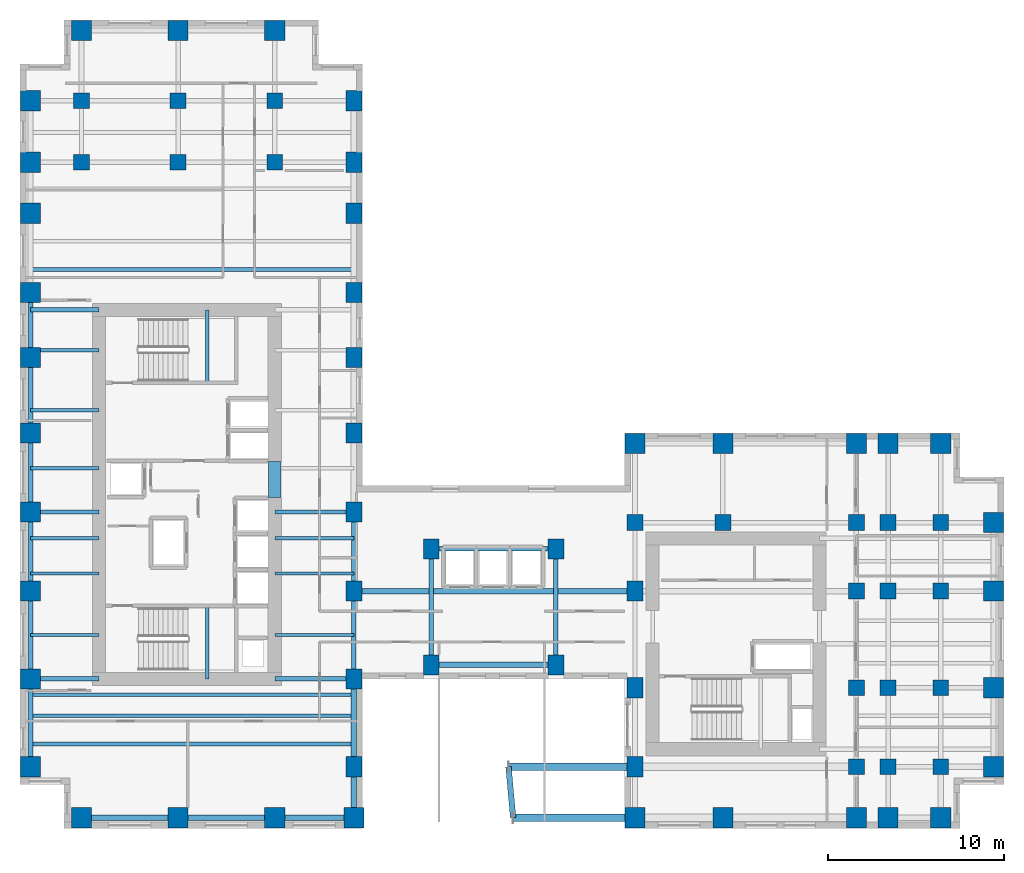
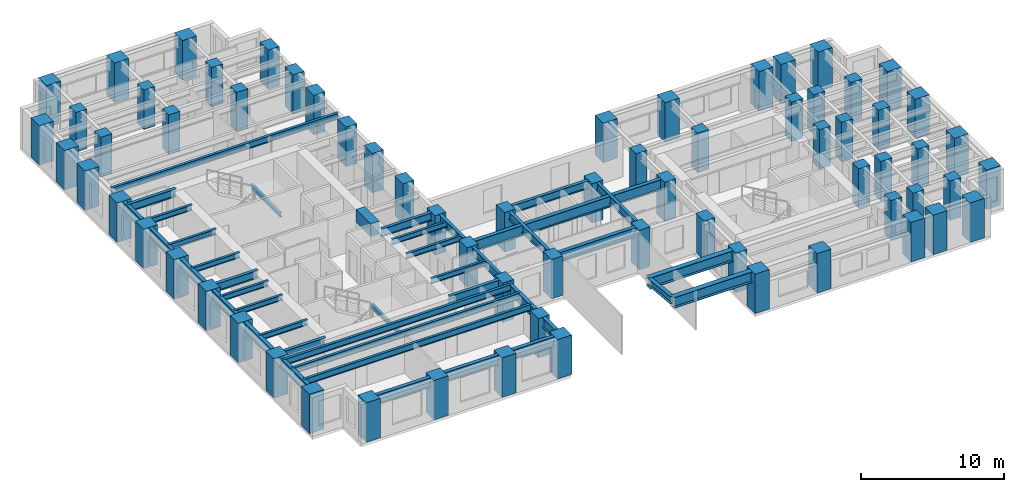
# One storey, part 1 of 14: 68 columns, 42 beams.
"""IFC4 building model written with IfcOpenShell, lengths in metres."""

from ifc_helpers import new_model, si_unit, direction, frame, origin, origin_2d, place, context, subcontext, project, spatial, rectangle, i_section, extrude, source, transform, mapped, material, material_profile, profile_set, type_object, element, save


model = new_model("IFC4")

# Units and contexts
model_context = context("Model", 3, precision=1e-05, world=origin(), true_north=direction((0.0, 1.0)))
body_context = subcontext(model_context, "Body", "Model", "MODEL_VIEW")
ifc_project = project(units=[si_unit("LENGTHUNIT", "METRE"), si_unit("AREAUNIT", "SQUARE_METRE"), si_unit("VOLUMEUNIT", "CUBIC_METRE"), si_unit("PLANEANGLEUNIT", "RADIAN"), si_unit("MASSUNIT", "GRAM", prefix="KILO")], contexts=[model_context])

# Site, building, storey
site_placement = place(None, origin())
site = spatial("IfcSite", under=ifc_project, at=site_placement, CompositionType="ELEMENT")
building_placement = place(site_placement, origin())
building = spatial("IfcBuilding", under=site, at=building_placement, Name="Kharzan Plaza Tower", CompositionType="ELEMENT")
storey_placement = place(building_placement, frame((0.0, 0.0, 88.199951171875)))
storey = spatial("IfcBuildingStorey", under=building, at=storey_placement, Name="L23", CompositionType="ELEMENT", Elevation=88.199951171875)

# Columns
ifc_material_1 = material(Name="Concrete C50/60", Category="concrete")
ifc_material_profile_1 = material_profile(ifc_material_1, rectangle(XDim=0.89990234375, YDim=0.89990234375, at=origin_2d()), Name="RC-IC900x900")
ifc_profile_set_1 = profile_set([ifc_material_profile_1], Name="Concrete C50/60")
column_type_1 = type_object("IfcColumnType", Name="COL-IC900", PredefinedType="COLUMN", material=ifc_profile_set_1)
shared_shape_1 = source(origin(), body_context, "Body", "SweptSolid", [
    extrude(rectangle(XDim=0.89990234375, YDim=0.89990234375, at=origin_2d()), origin(), (0.0, 0.0, 1.0), 3.380126953125),
])
for number, where, z_axis, x_axis, name in (
    (1, (47.60009765625, 13.5, 0.0), (0.0, 0.0, 1.0), (1.0, 0.0, 0.0), "L23 Structural Column TCBI-135"),
    (2, (47.60009765625, 3.5, 0.0), (0.0, 0.0, 1.0), (1.0, 0.0, 0.0), "L23 Structural Column TCBI-35"),
    (3, (47.60009765625, 8.0, 0.0), (0.0, 0.0, 1.0), (1.0, 0.0, 0.0), "L23 Structural Column TCBI-80"),
    (4, (35.0, 17.39990234375, 0.0), (0.0, 0.0, 1.0), (1.0, 0.0, 0.0), "L23 Structural Column TCBN-350-174"),
    (5, (40.0, 17.39990234375, 0.0), (0.0, 0.0, 1.0), (1.0, 0.0, 0.0), "L23 Structural Column TCBN-400-174"),
    (6, (47.60009765625, 17.39990234375, 0.0), (0.0, 0.0, 1.0), (1.0, 0.0, 0.0), "L23 Structural Column TCBN-476-174"),
    (7, (49.39990234375, 13.5, 0.0), (0.0, 0.0, 1.0), (1.0, 0.0, 0.0), "L23 Structural Column TCE-494-135"),
    (8, (49.39990234375, 17.39990234375, 0.0), (0.0, 0.0, 1.0), (1.0, 0.0, 0.0), "L23 Structural Column TCE-494-174"),
    (9, (49.39990234375, 3.5, 0.0), (0.0, 0.0, 1.0), (1.0, 0.0, 0.0), "L23 Structural Column TCE-494-35"),
    (10, (49.39990234375, 8.0, 0.0), (0.0, 0.0, 1.0), (1.0, 0.0, 0.0), "L23 Structural Column TCE-494-80"),
    (11, (52.39990234375, 13.5, 0.0), (0.0, 0.0, 1.0), (1.0, 0.0, 0.0), "L23 Structural Column TCE-524-135"),
    (12, (52.39990234375, 17.39990234375, 0.0), (0.0, 0.0, 1.0), (1.0, 0.0, 0.0), "L23 Structural Column TCE-524-174"),
    (13, (52.39990234375, 3.5, 0.0), (0.0, 0.0, 1.0), (1.0, 0.0, 0.0), "L23 Structural Column TCE-524-35"),
    (14, (52.39990234375, 8.0, 0.0), (0.0, 0.0, 1.0), (1.0, 0.0, 0.0), "L23 Structural Column TCE-524-80"),
    (15, (14.5, 37.89990234375, 0.0), (0.0, 0.0, 1.0), (1.0, 0.0, 0.0), "L23 Structural Column TCN-145-379"),
    (16, (14.5, 41.39990234375, 0.0), (0.0, 0.0, 1.0), (1.0, 0.0, 0.0), "L23 Structural Column TCN-145-414"),
    (17, (3.5, 37.89990234375, 0.0), (0.0, 0.0, 1.0), (1.0, 0.0, 0.0), "L23 Structural Column TCN-35-379"),
    (18, (3.5, 41.39990234375, 0.0), (0.0, 0.0, 1.0), (1.0, 0.0, 0.0), "L23 Structural Column TCN-35-414"),
    (19, (9.0, 37.89990234375, 0.0), (0.0, 0.0, 1.0), (1.0, 0.0, 0.0), "L23 Structural Column TCN-90-379"),
    (20, (9.0, 41.39990234375, 0.0), (0.0, 0.0, 1.0), (1.0, 0.0, 0.0), "L23 Structural Column TCN-90-414"),
):
    element("IfcColumn", number, at=place(storey_placement, frame(where, z_axis=z_axis, x_axis=x_axis)), inside=storey, type_object=column_type_1, Name=name, PredefinedType="COLUMN", context=body_context, shape_type="MappedRepresentation", body=[
        mapped(shared_shape_1, transform((0.0, 0.0, 0.0), x_axis=(1.0, 0.0, 0.0), y_axis=(0.0, 1.0, 0.0), z_axis=(0.0, 0.0, 1.0))),
    ])
ifc_material_2 = material(Name="Concrete C60/75", Category="concrete")
ifc_material_profile_2 = material_profile(ifc_material_2, rectangle(XDim=0.89990234375, YDim=1.14990234375, at=origin_2d()), Name="RC-SC1150x900")
ifc_profile_set_2 = profile_set([ifc_material_profile_2], Name="Concrete C60/75")
column_type_2 = type_object("IfcColumnType", Name="COL-SC1150", PredefinedType="COLUMN", material=ifc_profile_set_2)
shared_shape_2 = source(origin(), body_context, "Body", "SweptSolid", [
    extrude(rectangle(XDim=0.89990234375, YDim=1.14990234375, at=origin_2d()), origin(), (0.0, 0.0, 1.0), 3.380126953125),
])
for number, where, z_axis, x_axis, name in (
    (21, (19.0, 13.5, 0.0), (0.0, 0.0, 1.0), (1.0, 0.0, 0.0), "L23 Structural Column TCA-135"),
    (22, (19.0, 18.0, 0.0), (0.0, 0.0, 1.0), (1.0, 0.0, 0.0), "L23 Structural Column TCA-180"),
    (23, (19.0, 22.5, 0.0), (0.0, 0.0, 1.0), (1.0, 0.0, 0.0), "L23 Structural Column TCA-225"),
    (24, (19.0, 26.800048828125, 0.0), (0.0, 0.0, 1.0), (1.0, 0.0, 0.0), "L23 Structural Column TCA-268"),
    (25, (19.0, 30.5, 0.0), (0.0, 0.0, 1.0), (1.0, 0.0, 0.0), "L23 Structural Column TCA-305"),
    (26, (19.0, 3.5, 0.0), (0.0, 0.0, 1.0), (1.0, 0.0, 0.0), "L23 Structural Column TCA-35"),
    (27, (19.0, 35.0, 0.0), (0.0, 0.0, 1.0), (1.0, 0.0, 0.0), "L23 Structural Column TCA-350"),
    (28, (19.0, 37.89990234375, 0.0), (0.0, 0.0, 1.0), (1.0, 0.0, 0.0), "L23 Structural Column TCA-379"),
    (29, (19.0, 41.39990234375, 0.0), (0.0, 0.0, 1.0), (1.0, 0.0, 0.0), "L23 Structural Column TCA-414"),
    (30, (19.0, 8.5, 0.0), (0.0, 0.0, 1.0), (1.0, 0.0, 0.0), "L23 Structural Column TCA-85"),
    (31, (35.0, 13.5, 0.0), (0.0, 0.0, 1.0), (1.0, 0.0, 0.0), "L23 Structural Column TCBS-135"),
    (32, (35.0, 3.5, 0.0), (0.0, 0.0, 1.0), (1.0, 0.0, 0.0), "L23 Structural Column TCBS-35"),
    (33, (35.0, 8.0, 0.0), (0.0, 0.0, 1.0), (1.0, 0.0, 0.0), "L23 Structural Column TCBS-80"),
    (34, (23.39990234375, 15.89990234375, 0.0), (0.0, 0.0, 1.0), (1.0, 0.0, 0.0), "L23 Structural Column TCSP-234-159"),
    (35, (23.39990234375, 9.300048828125, 0.0), (0.0, 0.0, 1.0), (1.0, 0.0, 0.0), "L23 Structural Column TCSP-234-93"),
    (36, (30.5, 15.89990234375, 0.0), (0.0, 0.0, 1.0), (1.0, 0.0, 0.0), "L23 Structural Column TCSP-305-159"),
    (37, (30.5, 9.300048828125, 0.0), (0.0, 0.0, 1.0), (1.0, 0.0, 0.0), "L23 Structural Column TCSP-305-93"),
):
    element("IfcColumn", number, at=place(storey_placement, frame(where, z_axis=z_axis, x_axis=x_axis)), inside=storey, type_object=column_type_2, Name=name, PredefinedType="COLUMN", context=body_context, shape_type="MappedRepresentation", body=[
        mapped(shared_shape_2, transform((0.0, 0.0, 0.0), x_axis=(1.0, 0.0, 0.0), y_axis=(0.0, 1.0, 0.0), z_axis=(0.0, 0.0, 1.0))),
    ])
ifc_material_profile_3 = material_profile(ifc_material_2, rectangle(XDim=1.14990234375, YDim=1.14990234375, at=origin_2d()), Name="RC-TC1150x1150")
ifc_profile_set_3 = profile_set([ifc_material_profile_3], Name="Concrete C60/75")
column_type_3 = type_object("IfcColumnType", Name="COL-TC1150", PredefinedType="COLUMN", material=ifc_profile_set_3)
shared_shape_3 = source(origin(), body_context, "Body", "SweptSolid", [
    extrude(rectangle(XDim=1.14990234375, YDim=1.14990234375, at=origin_2d()), origin(), (0.0, 0.0, 1.0), 3.380126953125),
])
for number, where, z_axis, x_axis, name in (
    (38, (35.0, 21.89990234375, 0.0), (0.0, 0.0, 1.0), (1.0, 0.0, 0.0), "L23 Structural Column TCBN-350-219"),
    (39, (40.0, 21.89990234375, 0.0), (0.0, 0.0, 1.0), (1.0, 0.0, 0.0), "L23 Structural Column TCBN-400-219"),
    (40, (47.60009765625, 21.89990234375, 0.0), (0.0, 0.0, 1.0), (1.0, 0.0, 0.0), "L23 Structural Column TCBN-476-219"),
    (41, (49.39990234375, 21.89990234375, 0.0), (0.0, 0.0, 1.0), (1.0, 0.0, 0.0), "L23 Structural Column TCBN-494-219"),
    (42, (52.39990234375, 21.89990234375, 0.0), (0.0, 0.0, 1.0), (1.0, 0.0, 0.0), "L23 Structural Column TCBN-524-219"),
    (43, (55.39990234375, 13.5, 0.0), (0.0, 0.0, 1.0), (1.0, 0.0, 0.0), "L23 Structural Column TCE-554-135"),
    (44, (55.39990234375, 17.39990234375, 0.0), (0.0, 0.0, 1.0), (1.0, 0.0, 0.0), "L23 Structural Column TCE-554-174"),
    (45, (55.39990234375, 3.5, 0.0), (0.0, 0.0, 1.0), (1.0, 0.0, 0.0), "L23 Structural Column TCE-554-35"),
    (46, (55.39990234375, 8.0, 0.0), (0.0, 0.0, 1.0), (1.0, 0.0, 0.0), "L23 Structural Column TCE-554-80"),
    (47, (14.5, 45.39990234375, 0.0), (0.0, 0.0, 1.0), (1.0, 0.0, 0.0), "L23 Structural Column TCN-145-454"),
    (48, (3.5, 45.39990234375, 0.0), (0.0, 0.0, 1.0), (1.0, 0.0, 0.0), "L23 Structural Column TCN-35-454"),
    (49, (9.0, 45.39990234375, 0.0), (0.0, 0.0, 1.0), (1.0, 0.0, 0.0), "L23 Structural Column TCN-90-454"),
    (50, (14.5, 0.60009765625, 0.0), (0.0, 0.0, 1.0), (1.0, 0.0, 0.0), "L23 Structural Column TCS-145"),
    (51, (19.0, 0.60009765625, 0.0), (0.0, 0.0, 1.0), (1.0, 0.0, 0.0), "L23 Structural Column TCS-190"),
    (52, (3.5, 0.60009765625, 0.0), (0.0, 0.0, 1.0), (1.0, 0.0, 0.0), "L23 Structural Column TCS-35"),
    (53, (35.0, 0.60009765625, 0.0), (0.0, 0.0, 1.0), (1.0, 0.0, 0.0), "L23 Structural Column TCS-350"),
    (54, (40.0, 0.60009765625, 0.0), (0.0, 0.0, 1.0), (1.0, 0.0, 0.0), "L23 Structural Column TCS-400"),
    (55, (47.60009765625, 0.60009765625, 0.0), (0.0, 0.0, 1.0), (1.0, 0.0, 0.0), "L23 Structural Column TCS-476"),
    (56, (49.39990234375, 0.60009765625, 0.0), (0.0, 0.0, 1.0), (1.0, 0.0, 0.0), "L23 Structural Column TCS-494"),
    (57, (52.39990234375, 0.60009765625, 0.0), (0.0, 0.0, 1.0), (1.0, 0.0, 0.0), "L23 Structural Column TCS-524"),
    (58, (9.0, 0.60009765625, 0.0), (0.0, 0.0, 1.0), (1.0, 0.0, 0.0), "L23 Structural Column TCS-90"),
    (59, (0.60009765625, 13.5, 0.0), (0.0, 0.0, 1.0), (1.0, 0.0, 0.0), "L23 Structural Column TCW-135"),
    (60, (0.60009765625, 18.0, 0.0), (0.0, 0.0, 1.0), (1.0, 0.0, 0.0), "L23 Structural Column TCW-180"),
    (61, (0.60009765625, 22.5, 0.0), (0.0, 0.0, 1.0), (1.0, 0.0, 0.0), "L23 Structural Column TCW-225"),
    (62, (0.60009765625, 26.800048828125, 0.0), (0.0, 0.0, 1.0), (1.0, 0.0, 0.0), "L23 Structural Column TCW-268"),
    (63, (0.60009765625, 30.5, 0.0), (0.0, 0.0, 1.0), (1.0, 0.0, 0.0), "L23 Structural Column TCW-305"),
    (64, (0.60009765625, 3.5, 0.0), (0.0, 0.0, 1.0), (1.0, 0.0, 0.0), "L23 Structural Column TCW-35"),
    (65, (0.60009765625, 35.0, 0.0), (0.0, 0.0, 1.0), (1.0, 0.0, 0.0), "L23 Structural Column TCW-350"),
    (66, (0.60009765625, 37.89990234375, 0.0), (0.0, 0.0, 1.0), (1.0, 0.0, 0.0), "L23 Structural Column TCW-379"),
    (67, (0.60009765625, 41.39990234375, 0.0), (0.0, 0.0, 1.0), (1.0, 0.0, 0.0), "L23 Structural Column TCW-414"),
    (68, (0.60009765625, 8.5, 0.0), (0.0, 0.0, 1.0), (1.0, 0.0, 0.0), "L23 Structural Column TCW-85"),
):
    element("IfcColumn", number, at=place(storey_placement, frame(where, z_axis=z_axis, x_axis=x_axis)), inside=storey, type_object=column_type_3, Name=name, PredefinedType="COLUMN", context=body_context, shape_type="MappedRepresentation", body=[
        mapped(shared_shape_3, transform((0.0, 0.0, 0.0), x_axis=(1.0, 0.0, 0.0), y_axis=(0.0, 1.0, 0.0), z_axis=(0.0, 0.0, 1.0))),
    ])

# Beams
ifc_material_profile_4 = material_profile(ifc_material_2, rectangle(XDim=0.699951171875, YDim=1.10009765625, at=origin_2d()), Name="RC-CB1100x700")
ifc_profile_set_4 = profile_set([ifc_material_profile_4], Name="Concrete C60/75")
beam_type_1 = type_object("IfcBeamType", Name="BM-RCCB1100", PredefinedType="LINTEL", material=ifc_profile_set_4)
shared_shape_4 = source(origin(), body_context, "Body", "SweptSolid", [
    extrude(rectangle(XDim=0.699951171875, YDim=1.10009765625, at=origin_2d()), origin(), (0.0, 0.0, 1.0), 2.059814453125),
])
beam_1_placement = place(storey_placement, frame((14.5, 18.820068359375, 2.830078125), z_axis=(0.0, 1.0, 0.0), x_axis=(-1.0, 0.0, 0.0)))
element("IfcBeam", 69, at=beam_1_placement, inside=storey, type_object=beam_type_1, Name="L23 CORE-A RC coupling beam CB1", PredefinedType="LINTEL", context=body_context, shape_type="MappedRepresentation", body=[
    mapped(shared_shape_4, transform((0.0, 0.0, 0.0), x_axis=(1.0, 0.0, 0.0), y_axis=(0.0, 1.0, 0.0), z_axis=(0.0, 0.0, 1.0))),
])
ifc_material_3 = material(Name="Steel S355", Category="steel")
ifc_material_profile_5 = material_profile(ifc_material_3, i_section(OverallWidth=0.205078125, OverallDepth=0.35400390625, WebThickness=0.009521484375, FlangeThickness=0.016845703125, at=origin_2d()), Name="W360x79")
ifc_profile_set_5 = profile_set([ifc_material_profile_5], Name="Steel S355")
beam_type_2 = type_object("IfcBeamType", Name="BM-LNT360", PredefinedType="LINTEL", material=ifc_profile_set_5)
shared_shape_5 = source(origin(), body_context, "Body", "SweptSolid", [
    extrude(i_section(OverallWidth=0.205078125, OverallDepth=0.35400390625, WebThickness=0.009521484375, FlangeThickness=0.016845703125, at=origin_2d()), origin(), (0.0, 0.0, 1.0), 4.155029296875),
])
for number, where, z_axis, x_axis, name in (
    (70, (10.64990234375, 8.5, 1.423095703125), (0.0, 1.0, 0.0), (-1.0, 0.0, 0.0), "L23 Stair ST-1 Half-Landing Beam"),
    (71, (10.64990234375, 25.344970703125, 1.423095703125), (0.0, 1.0, 0.0), (-1.0, 0.0, 0.0), "L23 Stair ST-2 Half-Landing Beam"),
):
    element("IfcBeam", number, at=place(storey_placement, frame(where, z_axis=z_axis, x_axis=x_axis)), inside=storey, type_object=beam_type_2, Name=name, PredefinedType="LINTEL", context=body_context, shape_type="MappedRepresentation", body=[
        mapped(shared_shape_5, transform((0.0, 0.0, 0.0), x_axis=(1.0, 0.0, 0.0), y_axis=(0.0, 1.0, 0.0), z_axis=(0.0, 0.0, 1.0))),
    ])
ifc_material_profile_6 = material_profile(ifc_material_3, i_section(OverallWidth=0.304931640625, OverallDepth=0.9189453125, WebThickness=0.017333984375, FlangeThickness=0.02783203125, at=origin_2d()), Name="W920x253")
ifc_profile_set_6 = profile_set([ifc_material_profile_6], Name="Steel S355")
beam_type_3 = type_object("IfcBeamType", Name="BM-FG920B", PredefinedType="BEAM", material=ifc_profile_set_6)
shared_shape_6 = source(origin(), body_context, "Body", "SweptSolid", [
    extrude(i_section(OverallWidth=0.304931640625, OverallDepth=0.9189453125, WebThickness=0.017333984375, FlangeThickness=0.02783203125, at=origin_2d()), origin(), (0.0, 0.0, 1.0), 16.0),
])
beam_2_placement = place(storey_placement, frame((19.0, 13.5, 2.920654296875), z_axis=(1.0, 0.0, 0.0), x_axis=(0.0, 1.0, 0.0)))
element("IfcBeam", 72, at=beam_2_placement, inside=storey, type_object=beam_type_3, Name="L23 Primary Floor Girder", PredefinedType="BEAM", context=body_context, shape_type="MappedRepresentation", body=[
    mapped(shared_shape_6, transform((0.0, 0.0, 0.0), x_axis=(1.0, 0.0, 0.0), y_axis=(0.0, 1.0, 0.0), z_axis=(0.0, 0.0, 1.0))),
])
ifc_material_profile_7 = material_profile(ifc_material_3, i_section(OverallWidth=0.2099609375, OverallDepth=0.537109375, WebThickness=0.010986328125, FlangeThickness=0.017333984375, at=origin_2d()), Name="W530x101")
ifc_profile_set_7 = profile_set([ifc_material_profile_7], Name="Steel S355")
beam_type_4 = type_object("IfcBeamType", Name="BM-JST530B", PredefinedType="JOIST", material=ifc_profile_set_7)
shared_shape_7 = source(origin(), body_context, "Body", "SweptSolid", [
    extrude(i_section(OverallWidth=0.2099609375, OverallDepth=0.537109375, WebThickness=0.010986328125, FlangeThickness=0.017333984375, at=origin_2d()), origin(), (0.0, 0.0, 1.0), 18.39990234375),
])
for number, where, z_axis, x_axis, name in (
    (73, (0.60009765625, 4.800048828125, 3.111572265625), (1.0, 0.0, 0.0), (0.0, 1.0, 0.0), "L23 Wing A Composite Joist 01"),
    (74, (0.60009765625, 6.39990234375, 3.111572265625), (1.0, 0.0, 0.0), (0.0, 1.0, 0.0), "L23 Wing A Composite Joist 02"),
    (75, (0.60009765625, 7.60009765625, 3.111572265625), (1.0, 0.0, 0.0), (0.0, 1.0, 0.0), "L23 Wing A Composite Joist 03"),
    (76, (0.60009765625, 31.800048828125, 3.111572265625), (1.0, 0.0, 0.0), (0.0, 1.0, 0.0), "L23 Wing A Composite Joist 04"),
):
    element("IfcBeam", number, at=place(storey_placement, frame(where, z_axis=z_axis, x_axis=x_axis)), inside=storey, type_object=beam_type_4, Name=name, PredefinedType="JOIST", context=body_context, shape_type="MappedRepresentation", body=[
        mapped(shared_shape_7, transform((0.0, 0.0, 0.0), x_axis=(1.0, 0.0, 0.0), y_axis=(0.0, 1.0, 0.0), z_axis=(0.0, 0.0, 1.0))),
    ])
ifc_material_profile_8 = material_profile(ifc_material_3, i_section(OverallWidth=0.194091796875, OverallDepth=0.468994140625, WebThickness=0.011474609375, FlangeThickness=0.0205078125, at=origin_2d()), Name="W460x106")
ifc_profile_set_8 = profile_set([ifc_material_profile_8], Name="Steel S355")
beam_type_5 = type_object("IfcBeamType", Name="BM-JST460", PredefinedType="JOIST", material=ifc_profile_set_8)
shared_shape_8 = source(origin(), body_context, "Body", "SweptSolid", [
    extrude(i_section(OverallWidth=0.194091796875, OverallDepth=0.468994140625, WebThickness=0.011474609375, FlangeThickness=0.0205078125, at=origin_2d()), origin(), (0.0, 0.0, 1.0), 4.5),
])
for number, where, z_axis, x_axis, name in (
    (77, (14.5, 11.0, 3.1455078125), (1.0, 0.0, 0.0), (0.0, 1.0, 0.0), "L23 Wing A East Infill Joist 1"),
    (78, (14.5, 14.5, 3.1455078125), (1.0, 0.0, 0.0), (0.0, 1.0, 0.0), "L23 Wing A East Infill Joist 2"),
    (79, (14.5, 16.5, 3.1455078125), (1.0, 0.0, 0.0), (0.0, 1.0, 0.0), "L23 Wing A East Infill Joist 3"),
):
    element("IfcBeam", number, at=place(storey_placement, frame(where, z_axis=z_axis, x_axis=x_axis)), inside=storey, type_object=beam_type_5, Name=name, PredefinedType="JOIST", context=body_context, shape_type="MappedRepresentation", body=[
        mapped(shared_shape_8, transform((0.0, 0.0, 0.0), x_axis=(1.0, 0.0, 0.0), y_axis=(0.0, 1.0, 0.0), z_axis=(0.0, 0.0, 1.0))),
    ])
shared_shape_9 = source(origin(), body_context, "Body", "SweptSolid", [
    extrude(i_section(OverallWidth=0.194091796875, OverallDepth=0.468994140625, WebThickness=0.011474609375, FlangeThickness=0.0205078125, at=origin_2d()), origin(), (0.0, 0.0, 1.0), 3.89990234375),
])
for number, where, z_axis, x_axis, name in (
    (80, (0.60009765625, 11.0, 3.1455078125), (1.0, 0.0, 0.0), (0.0, 1.0, 0.0), "L23 Wing A West Infill Joist 1"),
    (81, (0.60009765625, 14.5, 3.1455078125), (1.0, 0.0, 0.0), (0.0, 1.0, 0.0), "L23 Wing A West Infill Joist 2"),
    (82, (0.60009765625, 16.5, 3.1455078125), (1.0, 0.0, 0.0), (0.0, 1.0, 0.0), "L23 Wing A West Infill Joist 3"),
    (83, (0.60009765625, 20.5, 3.1455078125), (1.0, 0.0, 0.0), (0.0, 1.0, 0.0), "L23 Wing A West Infill Joist 4"),
    (84, (0.60009765625, 23.800048828125, 3.1455078125), (1.0, 0.0, 0.0), (0.0, 1.0, 0.0), "L23 Wing A West Infill Joist 5"),
    (85, (0.60009765625, 27.199951171875, 3.1455078125), (1.0, 0.0, 0.0), (0.0, 1.0, 0.0), "L23 Wing A West Infill Joist 6"),
):
    element("IfcBeam", number, at=place(storey_placement, frame(where, z_axis=z_axis, x_axis=x_axis)), inside=storey, type_object=beam_type_5, Name=name, PredefinedType="JOIST", context=body_context, shape_type="MappedRepresentation", body=[
        mapped(shared_shape_9, transform((0.0, 0.0, 0.0), x_axis=(1.0, 0.0, 0.0), y_axis=(0.0, 1.0, 0.0), z_axis=(0.0, 0.0, 1.0))),
    ])
ifc_material_profile_9 = material_profile(ifc_material_3, i_section(OverallWidth=0.41796875, OverallDepth=0.93701171875, WebThickness=0.019287109375, FlangeThickness=0.031982421875, at=origin_2d()), Name="W920x342")
ifc_profile_set_9 = profile_set([ifc_material_profile_9], Name="Steel S355")
beam_type_6 = type_object("IfcBeamType", Name="BM-ZTG920", PredefinedType="BEAM", material=ifc_profile_set_9)
shared_shape_10 = source(origin(), body_context, "Body", "SweptSolid", [
    extrude(i_section(OverallWidth=0.41796875, OverallDepth=0.93701171875, WebThickness=0.019287109375, FlangeThickness=0.031982421875, at=origin_2d()), origin(), (0.0, 0.0, 1.0), 7.199951171875),
])
beam_3_placement = place(storey_placement, frame((35.0, 3.5, 2.91162109375), z_axis=(-1.0, 0.0, 0.0), x_axis=(0.0, -1.0, 0.0)))
element("IfcBeam", 86, at=beam_3_placement, inside=storey, type_object=beam_type_6, Name="L23 Sky-Terrace Cantilever Girder ZTG1 (L24 G2)", PredefinedType="BEAM", context=body_context, shape_type="MappedRepresentation", body=[
    mapped(shared_shape_10, transform((0.0, 0.0, 0.0), x_axis=(1.0, 0.0, 0.0), y_axis=(0.0, 1.0, 0.0), z_axis=(0.0, 0.0, 1.0))),
])
shared_shape_11 = source(origin(), body_context, "Body", "SweptSolid", [
    extrude(i_section(OverallWidth=0.41796875, OverallDepth=0.93701171875, WebThickness=0.019287109375, FlangeThickness=0.031982421875, at=origin_2d()), origin(), (0.0, 0.0, 1.0), 6.93603515625),
])
beam_4_placement = place(storey_placement, frame((35.0, 0.60009765625, 2.91162109375), z_axis=(-1.0, 0.0, 0.0), x_axis=(0.0, -1.0, 0.0)))
element("IfcBeam", 87, at=beam_4_placement, inside=storey, type_object=beam_type_6, Name="L23 Sky-Terrace Cantilever Girder ZTG1 (L24 G1)", PredefinedType="BEAM", context=body_context, shape_type="MappedRepresentation", body=[
    mapped(shared_shape_11, transform((0.0, 0.0, 0.0), x_axis=(1.0, 0.0, 0.0), y_axis=(0.0, 1.0, 0.0), z_axis=(0.0, 0.0, 1.0))),
])
ifc_material_profile_10 = material_profile(ifc_material_3, i_section(OverallWidth=0.324951171875, OverallDepth=0.615966796875, WebThickness=0.013916015625, FlangeThickness=0.021484375, at=origin_2d()), Name="W610x174")
ifc_profile_set_10 = profile_set([ifc_material_profile_10], Name="Steel S355")
beam_type_7 = type_object("IfcBeamType", Name="BM-ZTT610", PredefinedType="BEAM", material=ifc_profile_set_10)
shared_shape_12 = source(origin(), body_context, "Body", "SweptSolid", [
    extrude(i_section(OverallWidth=0.324951171875, OverallDepth=0.615966796875, WebThickness=0.013916015625, FlangeThickness=0.021484375, at=origin_2d()), origin(), (0.0, 0.0, 1.0), 2.911865234375),
])
beam_5_placement = place(storey_placement, frame((28.06396484375, 0.60009765625, 3.072021484375), z_axis=(-0.090634020309, 0.995884267555, 0.0), x_axis=(-0.995884267555, -0.090634020309, 0.0)))
element("IfcBeam", 88, at=beam_5_placement, inside=storey, type_object=beam_type_7, Name="L23 Sky-Terrace Edge Trimmer Beam ZTT1 (L24)", PredefinedType="BEAM", context=body_context, shape_type="MappedRepresentation", body=[
    mapped(shared_shape_12, transform((0.0, 0.0, 0.0), x_axis=(1.0, 0.0, 0.0), y_axis=(0.0, 1.0, 0.0), z_axis=(0.0, 0.0, 1.0))),
])
ifc_material_profile_11 = material_profile(ifc_material_3, i_section(OverallWidth=0.25390625, OverallDepth=0.68798828125, WebThickness=0.01318359375, FlangeThickness=0.02099609375, at=origin_2d()), Name="W690x152")
ifc_profile_set_11 = profile_set([ifc_material_profile_11], Name="Steel S355")
beam_type_8 = type_object("IfcBeamType", Name="BM-FG690B", PredefinedType="BEAM", material=ifc_profile_set_11)
shared_shape_13 = source(origin(), body_context, "Body", "SweptSolid", [
    extrude(i_section(OverallWidth=0.25390625, OverallDepth=0.68798828125, WebThickness=0.01318359375, FlangeThickness=0.02099609375, at=origin_2d()), origin(), (0.0, 0.0, 1.0), 4.5),
])
for number, where, z_axis, x_axis, name in (
    (89, (14.5, 8.5, 3.0361328125), (1.0, 0.0, 0.0), (0.0, 1.0, 0.0), "L23 Core-A East Floor Girder 1"),
    (90, (14.5, 18.0, 3.0361328125), (1.0, 0.0, 0.0), (0.0, 1.0, 0.0), "L23 Core-A East Floor Girder 2"),
    (91, (19.0, 13.5, 3.0361328125), (0.0, 1.0, 0.0), (-1.0, 0.0, 0.0), "L23 Interior Frame Girder"),
):
    element("IfcBeam", number, at=place(storey_placement, frame(where, z_axis=z_axis, x_axis=x_axis)), inside=storey, type_object=beam_type_8, Name=name, PredefinedType="BEAM", context=body_context, shape_type="MappedRepresentation", body=[
        mapped(shared_shape_13, transform((0.0, 0.0, 0.0), x_axis=(1.0, 0.0, 0.0), y_axis=(0.0, 1.0, 0.0), z_axis=(0.0, 0.0, 1.0))),
    ])
shared_shape_14 = source(origin(), body_context, "Body", "SweptSolid", [
    extrude(i_section(OverallWidth=0.25390625, OverallDepth=0.68798828125, WebThickness=0.01318359375, FlangeThickness=0.02099609375, at=origin_2d()), origin(), (0.0, 0.0, 1.0), 3.89990234375),
])
for number, where, z_axis, x_axis, name in (
    (92, (0.60009765625, 8.5, 3.0361328125), (1.0, 0.0, 0.0), (0.0, 1.0, 0.0), "L23 Core-A West Floor Girder 1"),
    (93, (0.60009765625, 18.0, 3.0361328125), (1.0, 0.0, 0.0), (0.0, 1.0, 0.0), "L23 Core-A West Floor Girder 2"),
    (94, (0.60009765625, 29.5, 3.0361328125), (1.0, 0.0, 0.0), (0.0, 1.0, 0.0), "L23 Core-A West Floor Girder 3"),
):
    element("IfcBeam", number, at=place(storey_placement, frame(where, z_axis=z_axis, x_axis=x_axis)), inside=storey, type_object=beam_type_8, Name=name, PredefinedType="BEAM", context=body_context, shape_type="MappedRepresentation", body=[
        mapped(shared_shape_14, transform((0.0, 0.0, 0.0), x_axis=(1.0, 0.0, 0.0), y_axis=(0.0, 1.0, 0.0), z_axis=(0.0, 0.0, 1.0))),
    ])
shared_shape_15 = source(origin(), body_context, "Body", "SweptSolid", [
    extrude(i_section(OverallWidth=0.25390625, OverallDepth=0.68798828125, WebThickness=0.01318359375, FlangeThickness=0.02099609375, at=origin_2d()), origin(), (0.0, 0.0, 1.0), 5.0),
])
beam_6_placement = place(storey_placement, frame((19.0, 8.5, 3.0361328125), z_axis=(0.0, 1.0, 0.0), x_axis=(-1.0, 0.0, 0.0)))
element("IfcBeam", 95, at=beam_6_placement, inside=storey, type_object=beam_type_8, Name="L23 Interior Frame Girder", PredefinedType="BEAM", context=body_context, shape_type="MappedRepresentation", body=[
    mapped(shared_shape_15, transform((0.0, 0.0, 0.0), x_axis=(1.0, 0.0, 0.0), y_axis=(0.0, 1.0, 0.0), z_axis=(0.0, 0.0, 1.0))),
])
shared_shape_16 = source(origin(), body_context, "Body", "SweptSolid", [
    extrude(i_section(OverallWidth=0.25390625, OverallDepth=0.68798828125, WebThickness=0.01318359375, FlangeThickness=0.02099609375, at=origin_2d()), origin(), (0.0, 0.0, 1.0), 6.599853515625),
])
for number, where, z_axis, x_axis, name in (
    (96, (23.39990234375, 9.300048828125, 3.0361328125), (0.0, 1.0, 0.0), (-1.0, 0.0, 0.0), "L23 Interior Frame Girder"),
    (97, (30.5, 9.300048828125, 3.0361328125), (0.0, 1.0, 0.0), (-1.0, 0.0, 0.0), "L23 Interior Frame Girder"),
):
    element("IfcBeam", number, at=place(storey_placement, frame(where, z_axis=z_axis, x_axis=x_axis)), inside=storey, type_object=beam_type_8, Name=name, PredefinedType="BEAM", context=body_context, shape_type="MappedRepresentation", body=[
        mapped(shared_shape_16, transform((0.0, 0.0, 0.0), x_axis=(1.0, 0.0, 0.0), y_axis=(0.0, 1.0, 0.0), z_axis=(0.0, 0.0, 1.0))),
    ])
shared_shape_17 = source(origin(), body_context, "Body", "SweptSolid", [
    extrude(i_section(OverallWidth=0.25390625, OverallDepth=0.68798828125, WebThickness=0.01318359375, FlangeThickness=0.02099609375, at=origin_2d()), origin(), (0.0, 0.0, 1.0), 7.10009765625),
])
beam_7_placement = place(storey_placement, frame((23.39990234375, 15.89990234375, 3.0361328125), z_axis=(1.0, 0.0, 0.0), x_axis=(0.0, 1.0, 0.0)))
element("IfcBeam", 98, at=beam_7_placement, inside=storey, type_object=beam_type_8, Name="L23 Primary Floor Girder", PredefinedType="BEAM", context=body_context, shape_type="MappedRepresentation", body=[
    mapped(shared_shape_17, transform((0.0, 0.0, 0.0), x_axis=(1.0, 0.0, 0.0), y_axis=(0.0, 1.0, 0.0), z_axis=(0.0, 0.0, 1.0))),
])
ifc_material_profile_12 = material_profile(ifc_material_3, i_section(OverallWidth=0.299072265625, OverallDepth=0.845947265625, WebThickness=0.015380859375, FlangeThickness=0.0244140625, at=origin_2d()), Name="W840x210")
ifc_profile_set_12 = profile_set([ifc_material_profile_12], Name="Steel S355")
beam_type_9 = type_object("IfcBeamType", Name="BM-SP840B", PredefinedType="SPANDREL", material=ifc_profile_set_12)
shared_shape_18 = source(origin(), body_context, "Body", "SweptSolid", [
    extrude(i_section(OverallWidth=0.299072265625, OverallDepth=0.845947265625, WebThickness=0.015380859375, FlangeThickness=0.0244140625, at=origin_2d()), origin(), (0.0, 0.0, 1.0), 5.0),
])
for number, where, z_axis, x_axis, name in (
    (99, (0.60009765625, 3.5, 2.95703125), (0.0, 1.0, 0.0), (-1.0, 0.0, 0.0), "L23 Perimeter Tube Spandrel"),
    (100, (0.60009765625, 8.5, 2.95703125), (0.0, 1.0, 0.0), (-1.0, 0.0, 0.0), "L23 Perimeter Tube Spandrel"),
    (101, (19.0, 3.5, 2.95703125), (0.0, 1.0, 0.0), (-1.0, 0.0, 0.0), "L23 Perimeter Tube Spandrel"),
):
    element("IfcBeam", number, at=place(storey_placement, frame(where, z_axis=z_axis, x_axis=x_axis)), inside=storey, type_object=beam_type_9, Name=name, PredefinedType="SPANDREL", context=body_context, shape_type="MappedRepresentation", body=[
        mapped(shared_shape_18, transform((0.0, 0.0, 0.0), x_axis=(1.0, 0.0, 0.0), y_axis=(0.0, 1.0, 0.0), z_axis=(0.0, 0.0, 1.0))),
    ])
shared_shape_19 = source(origin(), body_context, "Body", "SweptSolid", [
    extrude(i_section(OverallWidth=0.299072265625, OverallDepth=0.845947265625, WebThickness=0.015380859375, FlangeThickness=0.0244140625, at=origin_2d()), origin(), (0.0, 0.0, 1.0), 4.5),
])
for number, where, z_axis, x_axis, name in (
    (102, (0.60009765625, 13.5, 2.95703125), (0.0, 1.0, 0.0), (-1.0, 0.0, 0.0), "L23 Perimeter Tube Spandrel"),
    (103, (0.60009765625, 18.0, 2.95703125), (0.0, 1.0, 0.0), (-1.0, 0.0, 0.0), "L23 Perimeter Tube Spandrel"),
    (104, (14.5, 0.60009765625, 2.95703125), (1.0, 0.0, 0.0), (0.0, 1.0, 0.0), "L23 Perimeter Tube Spandrel"),
):
    element("IfcBeam", number, at=place(storey_placement, frame(where, z_axis=z_axis, x_axis=x_axis)), inside=storey, type_object=beam_type_9, Name=name, PredefinedType="SPANDREL", context=body_context, shape_type="MappedRepresentation", body=[
        mapped(shared_shape_19, transform((0.0, 0.0, 0.0), x_axis=(1.0, 0.0, 0.0), y_axis=(0.0, 1.0, 0.0), z_axis=(0.0, 0.0, 1.0))),
    ])
shared_shape_20 = source(origin(), body_context, "Body", "SweptSolid", [
    extrude(i_section(OverallWidth=0.299072265625, OverallDepth=0.845947265625, WebThickness=0.015380859375, FlangeThickness=0.0244140625, at=origin_2d()), origin(), (0.0, 0.0, 1.0), 4.300048828125),
])
beam_8_placement = place(storey_placement, frame((0.60009765625, 22.5, 2.95703125), z_axis=(0.0, 1.0, 0.0), x_axis=(-1.0, 0.0, 0.0)))
element("IfcBeam", 105, at=beam_8_placement, inside=storey, type_object=beam_type_9, Name="L23 Perimeter Tube Spandrel", PredefinedType="SPANDREL", context=body_context, shape_type="MappedRepresentation", body=[
    mapped(shared_shape_20, transform((0.0, 0.0, 0.0), x_axis=(1.0, 0.0, 0.0), y_axis=(0.0, 1.0, 0.0), z_axis=(0.0, 0.0, 1.0))),
])
shared_shape_21 = source(origin(), body_context, "Body", "SweptSolid", [
    extrude(i_section(OverallWidth=0.299072265625, OverallDepth=0.845947265625, WebThickness=0.015380859375, FlangeThickness=0.0244140625, at=origin_2d()), origin(), (0.0, 0.0, 1.0), 3.699951171875),
])
beam_9_placement = place(storey_placement, frame((0.60009765625, 26.800048828125, 2.95703125), z_axis=(0.0, 1.0, 0.0), x_axis=(-1.0, 0.0, 0.0)))
element("IfcBeam", 106, at=beam_9_placement, inside=storey, type_object=beam_type_9, Name="L23 Perimeter Tube Spandrel", PredefinedType="SPANDREL", context=body_context, shape_type="MappedRepresentation", body=[
    mapped(shared_shape_21, transform((0.0, 0.0, 0.0), x_axis=(1.0, 0.0, 0.0), y_axis=(0.0, 1.0, 0.0), z_axis=(0.0, 0.0, 1.0))),
])
shared_shape_22 = source(origin(), body_context, "Body", "SweptSolid", [
    extrude(i_section(OverallWidth=0.299072265625, OverallDepth=0.845947265625, WebThickness=0.015380859375, FlangeThickness=0.0244140625, at=origin_2d()), origin(), (0.0, 0.0, 1.0), 2.89990234375),
])
beam_10_placement = place(storey_placement, frame((19.0, 0.60009765625, 2.95703125), z_axis=(0.0, 1.0, 0.0), x_axis=(-1.0, 0.0, 0.0)))
element("IfcBeam", 107, at=beam_10_placement, inside=storey, type_object=beam_type_9, Name="L23 Perimeter Tube Spandrel", PredefinedType="SPANDREL", context=body_context, shape_type="MappedRepresentation", body=[
    mapped(shared_shape_22, transform((0.0, 0.0, 0.0), x_axis=(1.0, 0.0, 0.0), y_axis=(0.0, 1.0, 0.0), z_axis=(0.0, 0.0, 1.0))),
])
shared_shape_23 = source(origin(), body_context, "Body", "SweptSolid", [
    extrude(i_section(OverallWidth=0.299072265625, OverallDepth=0.845947265625, WebThickness=0.015380859375, FlangeThickness=0.0244140625, at=origin_2d()), origin(), (0.0, 0.0, 1.0), 5.5),
])
for number, where, z_axis, x_axis, name in (
    (108, (3.5, 0.60009765625, 2.95703125), (1.0, 0.0, 0.0), (0.0, 1.0, 0.0), "L23 Perimeter Tube Spandrel"),
    (109, (9.0, 0.60009765625, 2.95703125), (1.0, 0.0, 0.0), (0.0, 1.0, 0.0), "L23 Perimeter Tube Spandrel"),
):
    element("IfcBeam", number, at=place(storey_placement, frame(where, z_axis=z_axis, x_axis=x_axis)), inside=storey, type_object=beam_type_9, Name=name, PredefinedType="SPANDREL", context=body_context, shape_type="MappedRepresentation", body=[
        mapped(shared_shape_23, transform((0.0, 0.0, 0.0), x_axis=(1.0, 0.0, 0.0), y_axis=(0.0, 1.0, 0.0), z_axis=(0.0, 0.0, 1.0))),
    ])
shared_shape_24 = source(origin(), body_context, "Body", "SweptSolid", [
    extrude(i_section(OverallWidth=0.299072265625, OverallDepth=0.845947265625, WebThickness=0.015380859375, FlangeThickness=0.0244140625, at=origin_2d()), origin(), (0.0, 0.0, 1.0), 7.10009765625),
])
beam_11_placement = place(storey_placement, frame((23.39990234375, 9.300048828125, 2.95703125), z_axis=(1.0, 0.0, 0.0), x_axis=(0.0, 1.0, 0.0)))
element("IfcBeam", 110, at=beam_11_placement, inside=storey, type_object=beam_type_9, Name="L23 Perimeter Tube Spandrel", PredefinedType="SPANDREL", context=body_context, shape_type="MappedRepresentation", body=[
    mapped(shared_shape_24, transform((0.0, 0.0, 0.0), x_axis=(1.0, 0.0, 0.0), y_axis=(0.0, 1.0, 0.0), z_axis=(0.0, 0.0, 1.0))),
])

save(model, "model.ifc")
